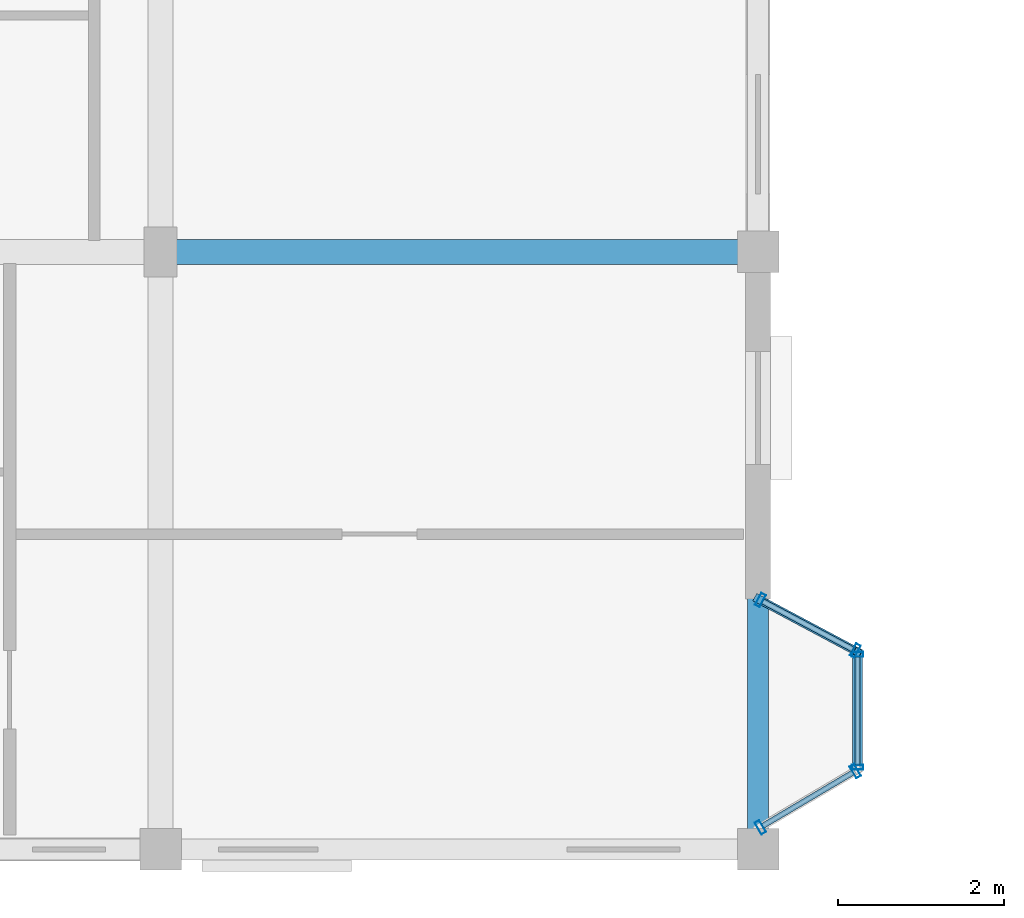
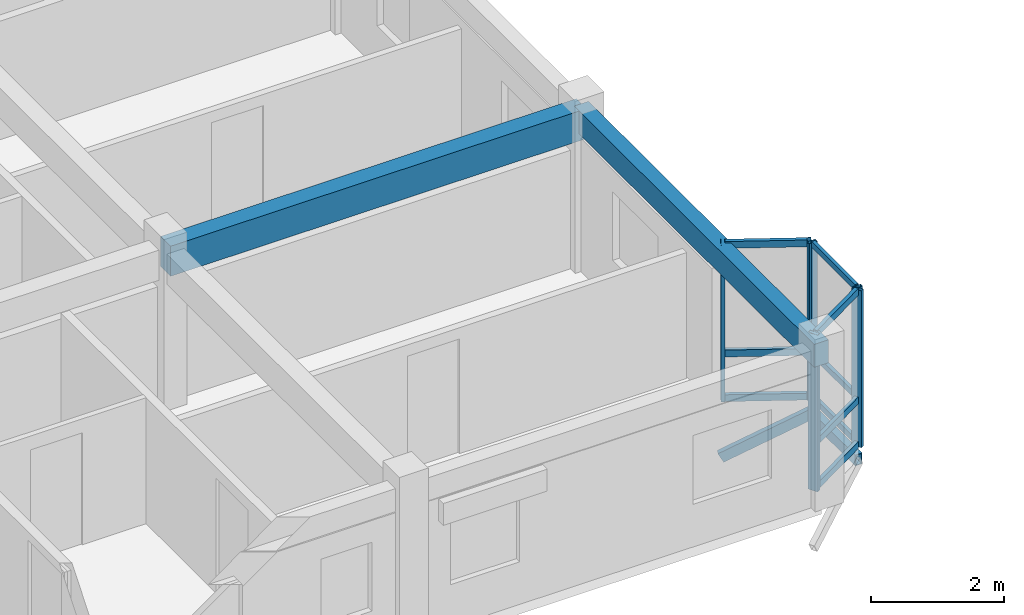
# One storey, part 7 of 65: 17 members, 2 beams, 3 elements without a shape of their own.
"""IFC4 building model written with IfcOpenShell, lengths in metres."""

from ifc_helpers import new_model, si_unit, direction, frame, origin, origin_2d, place, context, subcontext, project, spatial, rectangle, hollow_rectangle, extrude, material, layer, layer_set, material_profile, profile_set, type_object, element, aggregate, save


model = new_model("IFC4")

# Units and contexts
model_context = context("Model", 3, precision=1e-05, world=origin(), true_north=direction((0.0, 1.0)))
body_context = subcontext(model_context, "Body", "Model", "MODEL_VIEW")
ifc_project = project(units=[si_unit("LENGTHUNIT", "METRE"), si_unit("AREAUNIT", "SQUARE_METRE"), si_unit("VOLUMEUNIT", "CUBIC_METRE"), si_unit("PLANEANGLEUNIT", "RADIAN"), si_unit("MASSUNIT", "GRAM", prefix="KILO"), si_unit("THERMODYNAMICTEMPERATUREUNIT", "KELVIN"), si_unit("POWERUNIT", "WATT")], contexts=[model_context])

# Site, building, storey
site_placement = place(None, origin())
site = spatial("IfcSite", under=ifc_project, at=site_placement, CompositionType="ELEMENT")
building_placement = place(site_placement, origin())
building = spatial("IfcBuilding", under=site, at=building_placement, Name="Tavuni Mirador Residences", CompositionType="ELEMENT")
storey_placement = place(building_placement, frame((0.0, 0.0, 29.699951171875)))
storey = spatial("IfcBuildingStorey", under=building, at=storey_placement, Name="L09", CompositionType="ELEMENT", Elevation=29.699951171875)

# Beams
ifc_material_1 = material(Name="Precast concrete C40/50", Category="concrete")
ifc_material_profile_1 = material_profile(ifc_material_1, rectangle(XDim=0.300048828125, YDim=0.550048828125, at=origin_2d()), Name="PC 300x550", Category="concrete")
ifc_profile_set_1 = profile_set([ifc_material_profile_1], Name="Precast concrete C40/50")
beam_type_1 = type_object("IfcBeamType", Name="BT-B550", PredefinedType="BEAM", material=ifc_profile_set_1)
beam_1_placement = place(storey_placement, frame((25.199951171875, 14.39990234375, 2.594970703125), z_axis=(1.0, 0.0, 0.0), x_axis=(0.0, 1.0, 0.0)))
element("IfcBeam", 1, at=beam_1_placement, inside=storey, type_object=beam_type_1, Name="BMX-BLK-A-L09-03-01", PredefinedType="BEAM", context=body_context, shape_type="SweptSolid", body=[
    extrude(rectangle(XDim=0.300048828125, YDim=0.550048828125, at=origin_2d()), origin(), (0.0, 0.0, 1.0), 7.199951171875),
])
ifc_material_profile_2 = material_profile(ifc_material_1, rectangle(XDim=0.25, YDim=0.419921875, at=origin_2d()), Name="PC 250x420", Category="concrete")
ifc_profile_set_2 = profile_set([ifc_material_profile_2], Name="Precast concrete C40/50")
beam_type_2 = type_object("IfcBeamType", Name="BT-SP420", PredefinedType="SPANDREL", material=ifc_profile_set_2)
beam_2_placement = place(storey_placement, frame((32.39990234375, 7.199951171875, 2.66015625), z_axis=(0.0, 1.0, 0.0), x_axis=(-1.0, 0.0, 0.0)))
element("IfcBeam", 2, at=beam_2_placement, inside=storey, type_object=beam_type_2, Name="BMY-BLK-A-L09-04-00", PredefinedType="SPANDREL", context=body_context, shape_type="SweptSolid", body=[
    extrude(rectangle(XDim=0.25, YDim=0.419921875, at=origin_2d()), origin(), (0.0, 0.0, 1.0), 7.199951171875),
])

# Curtain wall, members
ifc_material_2 = material(Name="Anodised aluminium", Category="aluminium")
ifc_layer_1 = layer(ifc_material_2, 0.175048828125, Name="Anodised aluminium", Category="aluminium")
ifc_layer_set_1 = layer_set([ifc_layer_1], Name="Anodised aluminium")
curtain_wall_type_1 = type_object("IfcCurtainWallType", Name="CWT-MIR-C", PredefinedType="NOTDEFINED", material=ifc_layer_set_1)
curtain_wall_1_placement = place(storey_placement, origin())
curtain_wall_1 = element("IfcCurtainWall", 3, at=curtain_wall_1_placement, inside=storey, type_object=curtain_wall_type_1, Name="CW-MIR-A-E1-L09-MF", PredefinedType="NOTDEFINED")
ifc_material_profile_3 = material_profile(ifc_material_2, hollow_rectangle(XDim=0.06005859375, YDim=0.139892578125, WallThickness=0.00390625, at=origin_2d()), Name="ALU 60x140x4.0", Category="aluminium")
ifc_profile_set_3 = profile_set([ifc_material_profile_3], Name="Anodised aluminium")
member_type_1 = type_object("IfcMemberType", Name="CWM-140", PredefinedType="MULLION", material=ifc_profile_set_3)
member_1_placement = place(storey_placement, frame((33.60009765625, 8.18994140625, 0.0), z_axis=(0.0, 0.0, 1.0), x_axis=(0.0, 1.0, 0.0)))
member_1 = element("IfcMember", 4, at=member_1_placement, type_object=member_type_1, Name="CW-03 mullion 1", PredefinedType="MULLION", context=body_context, shape_type="SweptSolid", body=[
    extrude(hollow_rectangle(XDim=0.06005859375, YDim=0.139892578125, WallThickness=0.00390625, at=origin_2d()), origin(), (0.0, 0.0, 1.0), 2.8701171875),
])
member_2_placement = place(storey_placement, frame((33.60009765625, 9.550048828125, 0.0), z_axis=(0.0, 0.0, 1.0), x_axis=(0.0, 1.0, 0.0)))
member_2 = element("IfcMember", 5, at=member_2_placement, type_object=member_type_1, Name="CW-03 mullion 2", PredefinedType="MULLION", context=body_context, shape_type="SweptSolid", body=[
    extrude(hollow_rectangle(XDim=0.06005859375, YDim=0.139892578125, WallThickness=0.00390625, at=origin_2d()), origin(), (0.0, 0.0, 1.0), 2.8701171875),
])

ifc_layer_2 = layer(ifc_material_2, 0.14990234375, Name="Anodised aluminium", Category="aluminium")
ifc_layer_set_2 = layer_set([ifc_layer_2], Name="Anodised aluminium")
curtain_wall_type_2 = type_object("IfcCurtainWallType", Name="CWT-MIR-B", PredefinedType="NOTDEFINED", material=ifc_layer_set_2)
curtain_wall_2_placement = place(storey_placement, origin())
curtain_wall_2 = element("IfcCurtainWall", 6, at=curtain_wall_2_placement, inside=storey, type_object=curtain_wall_type_2, Name="CW-MIR-A-E1-L09-M1", PredefinedType="NOTDEFINED")
ifc_material_profile_4 = material_profile(ifc_material_2, hollow_rectangle(XDim=0.06494140625, YDim=0.1650390625, WallThickness=0.00439453125, at=origin_2d()), Name="ALU 65x165x4.5", Category="aluminium")
ifc_profile_set_4 = profile_set([ifc_material_profile_4], Name="Anodised aluminium")
member_type_2 = type_object("IfcMemberType", Name="CWM-165", PredefinedType="MULLION", material=ifc_profile_set_4)
member_3_placement = place(storey_placement, frame((32.427978515625, 7.466552734375, 0.0), z_axis=(0.0, 0.0, 1.0), x_axis=(0.860640830284, 0.509212491254, 0.0)))
member_3 = element("IfcMember", 7, at=member_3_placement, type_object=member_type_2, Name="CW-02 mullion 1", PredefinedType="MULLION", context=body_context, shape_type="SweptSolid", body=[
    extrude(hollow_rectangle(XDim=0.06494140625, YDim=0.1650390625, WallThickness=0.00439453125, at=origin_2d()), origin(), (0.0, 0.0, 1.0), 2.8701171875),
])
member_4_placement = place(storey_placement, frame((33.572021484375, 8.1435546875, 0.0), z_axis=(0.0, 0.0, 1.0), x_axis=(0.860640830284, 0.509212491254, 0.0)))
member_4 = element("IfcMember", 8, at=member_4_placement, type_object=member_type_2, Name="CW-02 mullion 2", PredefinedType="MULLION", context=body_context, shape_type="SweptSolid", body=[
    extrude(hollow_rectangle(XDim=0.06494140625, YDim=0.1650390625, WallThickness=0.00439453125, at=origin_2d()), origin(), (0.0, 0.0, 1.0), 2.8701171875),
])

ifc_layer_3 = layer(ifc_material_2, 0.159912109375, Name="Anodised aluminium", Category="aluminium")
ifc_layer_set_3 = layer_set([ifc_layer_3], Name="Anodised aluminium")
curtain_wall_type_3 = type_object("IfcCurtainWallType", Name="CWT-MIR-D", PredefinedType="NOTDEFINED", material=ifc_layer_set_3)
curtain_wall_3_placement = place(storey_placement, origin())
curtain_wall_3 = element("IfcCurtainWall", 9, at=curtain_wall_3_placement, inside=storey, type_object=curtain_wall_type_3, Name="CW-MIR-A-E1-L09-M2", PredefinedType="NOTDEFINED")
member_5_placement = place(storey_placement, frame((33.5712890625, 9.59521484375, 0.0), z_axis=(0.0, 0.0, 1.0), x_axis=(-0.882352941175, 0.470588235296, 0.0)))
member_5 = element("IfcMember", 10, at=member_5_placement, type_object=member_type_2, Name="CW-04 mullion 1", PredefinedType="MULLION", context=body_context, shape_type="SweptSolid", body=[
    extrude(hollow_rectangle(XDim=0.06494140625, YDim=0.1650390625, WallThickness=0.00439453125, at=origin_2d()), origin(), (0.0, 0.0, 1.0), 2.8701171875),
])
member_6_placement = place(storey_placement, frame((32.4287109375, 10.20458984375, 0.0), z_axis=(0.0, 0.0, 1.0), x_axis=(-0.882352941175, 0.470588235296, 0.0)))
member_6 = element("IfcMember", 11, at=member_6_placement, type_object=member_type_2, Name="CW-04 mullion 2", PredefinedType="MULLION", context=body_context, shape_type="SweptSolid", body=[
    extrude(hollow_rectangle(XDim=0.06494140625, YDim=0.1650390625, WallThickness=0.00439453125, at=origin_2d()), origin(), (0.0, 0.0, 1.0), 2.8701171875),
])

# Member
ifc_material_profile_5 = material_profile(ifc_material_2, hollow_rectangle(XDim=0.06005859375, YDim=0.110107421875, WallThickness=0.00390625, at=origin_2d()), Name="ALU 60x110x4.0", Category="aluminium")
ifc_profile_set_5 = profile_set([ifc_material_profile_5], Name="Anodised aluminium")
member_type_3 = type_object("IfcMemberType", Name="CWT-110", PredefinedType="USERDEFINED", material=ifc_profile_set_5)
member_7_placement = place(storey_placement, frame((33.60009765625, 8.219970703125, 0.030029296875), z_axis=(0.0, 1.0, 0.0), x_axis=(-1.0, 0.0, 0.0)))
member_7 = element("IfcMember", 12, at=member_7_placement, type_object=member_type_3, Name="CW-03 transom 1.1", ObjectType="TRANSOM", PredefinedType="USERDEFINED", context=body_context, shape_type="SweptSolid", body=[
    extrude(hollow_rectangle(XDim=0.06005859375, YDim=0.110107421875, WallThickness=0.00390625, at=origin_2d()), origin(), (0.0, 0.0, 1.0), 1.300048828125),
])

member_8_placement = place(storey_placement, frame((33.60009765625, 8.219970703125, 0.85009765625), z_axis=(0.0, 1.0, 0.0), x_axis=(-1.0, 0.0, 0.0)))
member_8 = element("IfcMember", 13, at=member_8_placement, type_object=member_type_3, Name="CW-03 transom 1.2", ObjectType="TRANSOM", PredefinedType="USERDEFINED", context=body_context, shape_type="SweptSolid", body=[
    extrude(hollow_rectangle(XDim=0.06005859375, YDim=0.110107421875, WallThickness=0.00390625, at=origin_2d()), origin(), (0.0, 0.0, 1.0), 1.300048828125),
])

member_9_placement = place(storey_placement, frame((33.60009765625, 8.219970703125, 2.840087890625), z_axis=(0.0, 1.0, 0.0), x_axis=(-1.0, 0.0, 0.0)))
member_9 = element("IfcMember", 14, at=member_9_placement, type_object=member_type_3, Name="CW-03 transom 1.3", ObjectType="TRANSOM", PredefinedType="USERDEFINED", context=body_context, shape_type="SweptSolid", body=[
    extrude(hollow_rectangle(XDim=0.06005859375, YDim=0.110107421875, WallThickness=0.00390625, at=origin_2d()), origin(), (0.0, 0.0, 1.0), 1.300048828125),
])

aggregate(curtain_wall_1, [member_1, member_2, member_7, member_8, member_9])

ifc_material_profile_6 = material_profile(ifc_material_2, hollow_rectangle(XDim=0.06494140625, YDim=0.125, WallThickness=0.00439453125, at=origin_2d()), Name="ALU 65x125x4.5", Category="aluminium")
ifc_profile_set_6 = profile_set([ifc_material_profile_6], Name="Anodised aluminium")
member_type_4 = type_object("IfcMemberType", Name="CWT-125", PredefinedType="USERDEFINED", material=ifc_profile_set_6)
member_10_placement = place(storey_placement, frame((32.4560546875, 7.483154296875, 0.032470703125), z_axis=(0.86059568564, 0.509288784343, 0.0), x_axis=(-0.509288784343, 0.86059568564, 0.0)))
member_10 = element("IfcMember", 15, at=member_10_placement, type_object=member_type_4, Name="CW-02 transom 1.1", ObjectType="TRANSOM", PredefinedType="USERDEFINED", context=body_context, shape_type="SweptSolid", body=[
    extrude(hollow_rectangle(XDim=0.06494140625, YDim=0.125, WallThickness=0.00439453125, at=origin_2d()), origin(), (0.0, 0.0, 1.0), 1.26416015625),
])

member_11_placement = place(storey_placement, frame((32.4560546875, 7.483154296875, 0.85009765625), z_axis=(0.86059568564, 0.509288784343, 0.0), x_axis=(-0.509288784343, 0.86059568564, 0.0)))
member_11 = element("IfcMember", 16, at=member_11_placement, type_object=member_type_4, Name="CW-02 transom 1.2", ObjectType="TRANSOM", PredefinedType="USERDEFINED", context=body_context, shape_type="SweptSolid", body=[
    extrude(hollow_rectangle(XDim=0.06494140625, YDim=0.125, WallThickness=0.00439453125, at=origin_2d()), origin(), (0.0, 0.0, 1.0), 1.26416015625),
])

member_12_placement = place(storey_placement, frame((32.4560546875, 7.483154296875, 2.837646484375), z_axis=(0.86059568564, 0.509288784343, 0.0), x_axis=(-0.509288784343, 0.86059568564, 0.0)))
member_12 = element("IfcMember", 17, at=member_12_placement, type_object=member_type_4, Name="CW-02 transom 1.3", ObjectType="TRANSOM", PredefinedType="USERDEFINED", context=body_context, shape_type="SweptSolid", body=[
    extrude(hollow_rectangle(XDim=0.06494140625, YDim=0.125, WallThickness=0.00439453125, at=origin_2d()), origin(), (0.0, 0.0, 1.0), 1.26416015625),
])

aggregate(curtain_wall_2, [member_3, member_4, member_10, member_11, member_12])

member_13_placement = place(storey_placement, frame((33.542724609375, 9.610595703125, 0.032470703125), z_axis=(-0.882369422046, 0.47055733236, 0.0), x_axis=(-0.47055733236, -0.882369422046, 0.0)))
member_13 = element("IfcMember", 18, at=member_13_placement, type_object=member_type_4, Name="CW-04 transom 1.1", ObjectType="TRANSOM", PredefinedType="USERDEFINED", context=body_context, shape_type="SweptSolid", body=[
    extrude(hollow_rectangle(XDim=0.06494140625, YDim=0.125, WallThickness=0.00439453125, at=origin_2d()), origin(), (0.0, 0.0, 1.0), 1.230224609375),
])

member_14_placement = place(storey_placement, frame((33.542724609375, 9.610595703125, 0.85009765625), z_axis=(-0.882369422046, 0.47055733236, 0.0), x_axis=(-0.47055733236, -0.882369422046, 0.0)))
member_14 = element("IfcMember", 19, at=member_14_placement, type_object=member_type_4, Name="CW-04 transom 1.2", ObjectType="TRANSOM", PredefinedType="USERDEFINED", context=body_context, shape_type="SweptSolid", body=[
    extrude(hollow_rectangle(XDim=0.06494140625, YDim=0.125, WallThickness=0.00439453125, at=origin_2d()), origin(), (0.0, 0.0, 1.0), 1.230224609375),
])

member_15_placement = place(storey_placement, frame((33.542724609375, 9.610595703125, 2.837646484375), z_axis=(-0.882369422046, 0.47055733236, 0.0), x_axis=(-0.47055733236, -0.882369422046, 0.0)))
member_15 = element("IfcMember", 20, at=member_15_placement, type_object=member_type_4, Name="CW-04 transom 1.3", ObjectType="TRANSOM", PredefinedType="USERDEFINED", context=body_context, shape_type="SweptSolid", body=[
    extrude(hollow_rectangle(XDim=0.06494140625, YDim=0.125, WallThickness=0.00439453125, at=origin_2d()), origin(), (0.0, 0.0, 1.0), 1.230224609375),
])

aggregate(curtain_wall_3, [member_5, member_6, member_13, member_14, member_15])

# Members
ifc_material_3 = material(Name="Structural steel S355", Category="steel")
ifc_material_profile_7 = material_profile(ifc_material_3, hollow_rectangle(XDim=0.10009765625, YDim=0.179931640625, WallThickness=0.008056640625, at=origin_2d()), Name="RHS 180x100x8.0", Category="steel")
ifc_profile_set_7 = profile_set([ifc_material_profile_7], Name="Structural steel S355")
member_type_5 = type_object("IfcMemberType", Name="MT-BR-RHS180", PredefinedType="BRACE", material=ifc_profile_set_7)
member_16_placement = place(storey_placement, frame((32.39990234375, 10.219970703125, -1.050048828125), z_axis=(0.767896193149, -0.409409260017, 0.492665702439), x_axis=(0.470467115558, 0.882417527692, 0.0)))
element("IfcMember", 21, at=member_16_placement, inside=storey, type_object=member_type_5, Name="MBRK-MIR-A-E1-L09-2", PredefinedType="BRACE", context=body_context, shape_type="SweptSolid", body=[
    extrude(hollow_rectangle(XDim=0.10009765625, YDim=0.179931640625, WallThickness=0.008056640625, at=origin_2d()), origin(), (0.0, 0.0, 1.0), 1.56298828125),
])
ifc_material_profile_8 = material_profile(ifc_material_3, hollow_rectangle(XDim=0.1201171875, YDim=0.199951171875, WallThickness=0.010009765625, at=origin_2d()), Name="RHS 200x120x10.0", Category="steel")
ifc_profile_set_8 = profile_set([ifc_material_profile_8], Name="Structural steel S355")
member_type_6 = type_object("IfcMemberType", Name="MT-ST-RHS200", PredefinedType="STRUT", material=ifc_profile_set_8)
member_17_placement = place(storey_placement, frame((33.60009765625, 8.159912109375, -0.280029296875), z_axis=(0.0, 1.0, 0.0), x_axis=(-1.0, 0.0, 0.0)))
element("IfcMember", 22, at=member_17_placement, inside=storey, type_object=member_type_6, Name="MRIM-MIR-A-E1-L09", PredefinedType="STRUT", context=body_context, shape_type="SweptSolid", body=[
    extrude(hollow_rectangle(XDim=0.1201171875, YDim=0.199951171875, WallThickness=0.010009765625, at=origin_2d()), origin(), (0.0, 0.0, 1.0), 1.420166015625),
])

save(model, "model.ifc")
